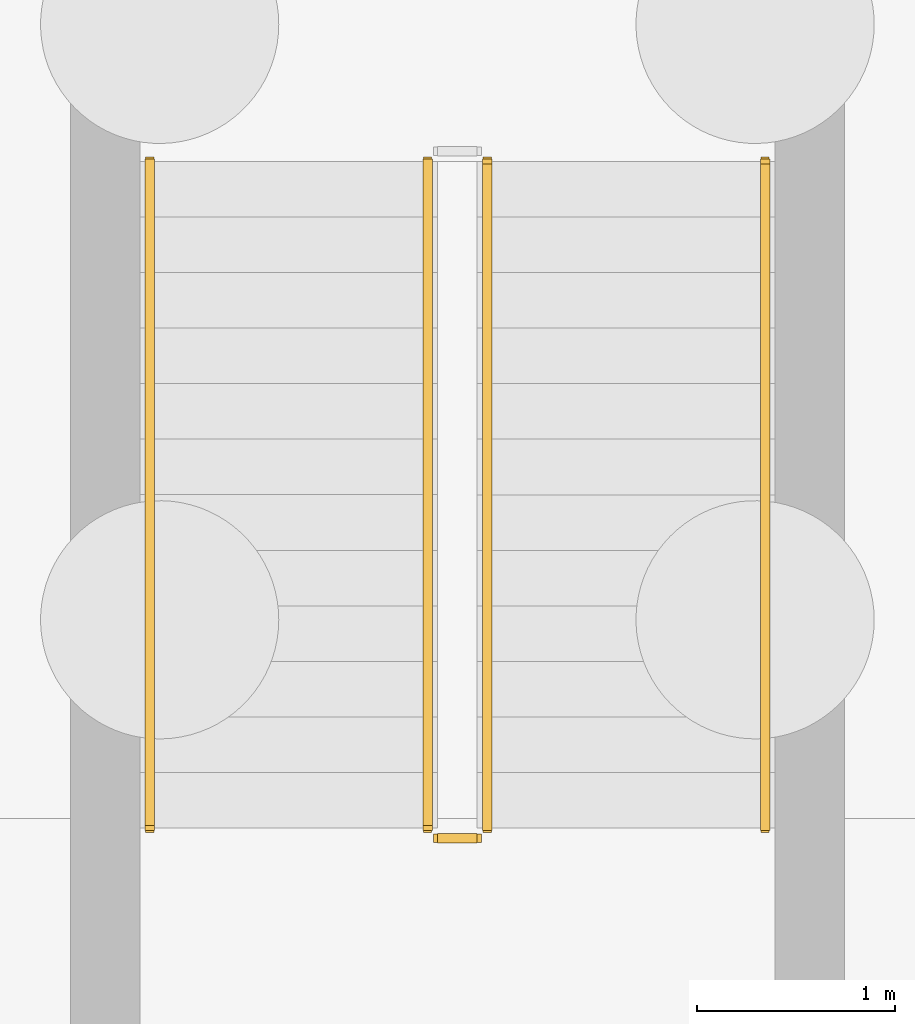
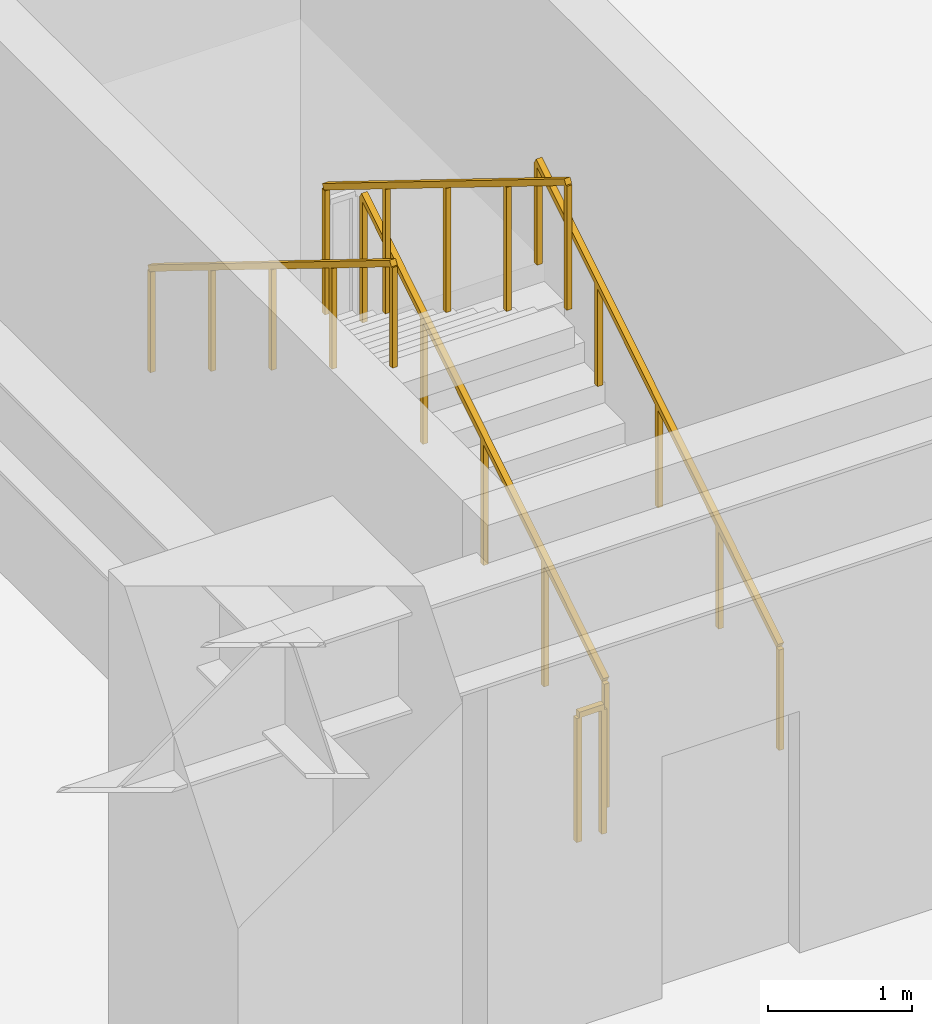
# One storey, part 20 of 23: 5 railings.
"""IFC4 building model written with IfcOpenShell, lengths in metres."""

from ifc_helpers import new_model, si_unit, direction, frame, origin, origin_2d, place, context, subcontext, project, spatial, rectangle, extrude, material, type_object, element, save


model = new_model("IFC4")

# Units and contexts
model_context = context("Model", 3, precision=1e-05, world=origin(), true_north=direction((0.0, 1.0)))
body_context = subcontext(model_context, "Body", "Model", "MODEL_VIEW")
ifc_project = project(units=[si_unit("LENGTHUNIT", "METRE"), si_unit("AREAUNIT", "SQUARE_METRE"), si_unit("VOLUMEUNIT", "CUBIC_METRE"), si_unit("PLANEANGLEUNIT", "RADIAN"), si_unit("MASSUNIT", "GRAM", prefix="KILO")], contexts=[model_context])

# Site, building, storey
site_placement = place(None, origin())
site = spatial("IfcSite", under=ifc_project, at=site_placement, CompositionType="ELEMENT")
building_placement = place(site_placement, origin())
building = spatial("IfcBuilding", under=site, at=building_placement, Name="Kiyonajd Concourse Tower", CompositionType="ELEMENT")
storey_placement = place(building_placement, frame((0.0, 0.0, -9.0)))
storey = spatial("IfcBuildingStorey", under=building, at=storey_placement, Name="B2", CompositionType="ELEMENT", Elevation=-9.0)

# Railings
ifc_material_1 = material(Name="Steel ASTM A500 Grade C", Category="steel")
railing_type_1 = type_object("IfcRailingType", Name="RL-GRD-STR", PredefinedType="GUARDRAIL", material=ifc_material_1)
railing_1_placement = place(storey_placement, frame((84.949951171875, 29.64990234375, 0.173095703125)))
element("IfcRailing", 1, at=railing_1_placement, inside=storey, type_object=railing_type_1, Name="B2 ST5 stair guard 1", PredefinedType="GUARDRAIL", context=body_context, shape_type="SweptSolid", body=[
    extrude(rectangle(XDim=0.048095703125, YDim=0.048095703125, at=origin_2d()), frame((0.0, 0.0, 1.076171875), z_axis=(0.0, 0.850623216509, 0.525775754039), x_axis=(-1.0, 0.0, 0.0)), (0.0, 0.0, 1.0), 3.9501953125),
    extrude(rectangle(XDim=0.0419921875, YDim=0.0419921875, at=origin_2d()), origin(), (0.0, 0.0, 1.0), 1.052001953125),
    extrude(rectangle(XDim=0.0419921875, YDim=0.0419921875, at=origin_2d()), frame((0.0, 0.840087890625, 0.519287109375)), (0.0, 0.0, 1.0), 1.052001953125),
    extrude(rectangle(XDim=0.0419921875, YDim=0.0419921875, at=origin_2d()), frame((0.0, 1.68017578125, 1.03857421875)), (0.0, 0.0, 1.0), 1.052001953125),
    extrude(rectangle(XDim=0.0419921875, YDim=0.0419921875, at=origin_2d()), frame((0.0, 2.52001953125, 1.5576171875)), (0.0, 0.0, 1.0), 1.052001953125),
    extrude(rectangle(XDim=0.0419921875, YDim=0.0419921875, at=origin_2d()), frame((0.0, 3.360107421875, 2.076904296875)), (0.0, 0.0, 1.0), 1.052001953125),
])
railing_2_placement = place(storey_placement, frame((84.64990234375, 33.010009765625, 2.423095703125)))
element("IfcRailing", 2, at=railing_2_placement, inside=storey, type_object=railing_type_1, Name="B2 ST5 stair guard 3", PredefinedType="GUARDRAIL", context=body_context, shape_type="SweptSolid", body=[
    extrude(rectangle(XDim=0.048095703125, YDim=0.048095703125, at=origin_2d()), frame((0.0, 0.0, 1.076171875), z_axis=(0.0, -0.850623216509, 0.525775754039), x_axis=(1.0, 0.0, 0.0)), (0.0, 0.0, 1.0), 3.9501953125),
    extrude(rectangle(XDim=0.0419921875, YDim=0.0419921875, at=origin_2d()), origin(), (0.0, 0.0, 1.0), 1.052001953125),
    extrude(rectangle(XDim=0.0419921875, YDim=0.0419921875, at=origin_2d()), frame((0.0, -0.840087890625, 0.519287109375)), (0.0, 0.0, 1.0), 1.052001953125),
    extrude(rectangle(XDim=0.0419921875, YDim=0.0419921875, at=origin_2d()), frame((0.0, -1.68017578125, 1.03857421875)), (0.0, 0.0, 1.0), 1.052001953125),
    extrude(rectangle(XDim=0.0419921875, YDim=0.0419921875, at=origin_2d()), frame((0.0, -2.52001953125, 1.5576171875)), (0.0, 0.0, 1.0), 1.052001953125),
    extrude(rectangle(XDim=0.0419921875, YDim=0.0419921875, at=origin_2d()), frame((0.0, -3.360107421875, 2.076904296875)), (0.0, 0.0, 1.0), 1.052001953125),
])
railing_3_placement = place(storey_placement, frame((84.89990234375, 29.60009765625, 0.0)))
element("IfcRailing", 3, at=railing_3_placement, inside=storey, type_object=railing_type_1, Name="B2 ST5 stair guard 4", PredefinedType="GUARDRAIL", context=body_context, shape_type="SweptSolid", body=[
    extrude(rectangle(XDim=0.048095703125, YDim=0.048095703125, at=origin_2d()), frame((0.0, 0.0, 1.076171875), z_axis=(-1.0, 0.0, 0.0), x_axis=(0.0, -1.0, 0.0)), (0.0, 0.0, 1.0), 0.199951171875),
    extrude(rectangle(XDim=0.0419921875, YDim=0.0419921875, at=origin_2d()), origin(), (0.0, 0.0, 1.0), 1.052001953125),
    extrude(rectangle(XDim=0.0419921875, YDim=0.0419921875, at=origin_2d()), frame((-0.199951171875, 0.0, 0.0)), (0.0, 0.0, 1.0), 1.052001953125),
])
ifc_material_2 = material(Name="Brushed Stainless Steel Cab Assembly", Category="steel")
railing_type_2 = type_object("IfcRailingType", Name="RL-HND-900", PredefinedType="HANDRAIL", material=ifc_material_2)
railing_4_placement = place(storey_placement, frame((86.35009765625, 29.64990234375, 0.173095703125)))
element("IfcRailing", 4, at=railing_4_placement, inside=storey, type_object=railing_type_2, Name="B2 ST5 stair handrail 1", PredefinedType="HANDRAIL", context=body_context, shape_type="SweptSolid", body=[
    extrude(rectangle(XDim=0.048095703125, YDim=0.048095703125, at=origin_2d()), frame((0.0, 0.0, 0.8759765625), z_axis=(0.0, 0.850623216509, 0.525775754039), x_axis=(-1.0, 0.0, 0.0)), (0.0, 0.0, 1.0), 3.9501953125),
    extrude(rectangle(XDim=0.0419921875, YDim=0.0419921875, at=origin_2d()), origin(), (0.0, 0.0, 1.0), 0.851806640625),
    extrude(rectangle(XDim=0.0419921875, YDim=0.0419921875, at=origin_2d()), frame((0.0, 0.840087890625, 0.519287109375)), (0.0, 0.0, 1.0), 0.851806640625),
    extrude(rectangle(XDim=0.0419921875, YDim=0.0419921875, at=origin_2d()), frame((0.0, 1.68017578125, 1.03857421875)), (0.0, 0.0, 1.0), 0.851806640625),
    extrude(rectangle(XDim=0.0419921875, YDim=0.0419921875, at=origin_2d()), frame((0.0, 2.52001953125, 1.5576171875)), (0.0, 0.0, 1.0), 0.851806640625),
    extrude(rectangle(XDim=0.0419921875, YDim=0.0419921875, at=origin_2d()), frame((0.0, 3.360107421875, 2.076904296875)), (0.0, 0.0, 1.0), 0.851806640625),
])
railing_5_placement = place(storey_placement, frame((83.25, 33.010009765625, 2.423095703125)))
element("IfcRailing", 5, at=railing_5_placement, inside=storey, type_object=railing_type_2, Name="B2 ST5 stair handrail 2", PredefinedType="HANDRAIL", context=body_context, shape_type="SweptSolid", body=[
    extrude(rectangle(XDim=0.048095703125, YDim=0.048095703125, at=origin_2d()), frame((0.0, 0.0, 0.8759765625), z_axis=(0.0, -0.850623216509, 0.525775754039), x_axis=(1.0, 0.0, 0.0)), (0.0, 0.0, 1.0), 3.9501953125),
    extrude(rectangle(XDim=0.0419921875, YDim=0.0419921875, at=origin_2d()), origin(), (0.0, 0.0, 1.0), 0.851806640625),
    extrude(rectangle(XDim=0.0419921875, YDim=0.0419921875, at=origin_2d()), frame((0.0, -0.840087890625, 0.519287109375)), (0.0, 0.0, 1.0), 0.851806640625),
    extrude(rectangle(XDim=0.0419921875, YDim=0.0419921875, at=origin_2d()), frame((0.0, -1.68017578125, 1.03857421875)), (0.0, 0.0, 1.0), 0.851806640625),
    extrude(rectangle(XDim=0.0419921875, YDim=0.0419921875, at=origin_2d()), frame((0.0, -2.52001953125, 1.5576171875)), (0.0, 0.0, 1.0), 0.851806640625),
    extrude(rectangle(XDim=0.0419921875, YDim=0.0419921875, at=origin_2d()), frame((0.0, -3.360107421875, 2.076904296875)), (0.0, 0.0, 1.0), 0.851806640625),
])

save(model, "model.ifc")
